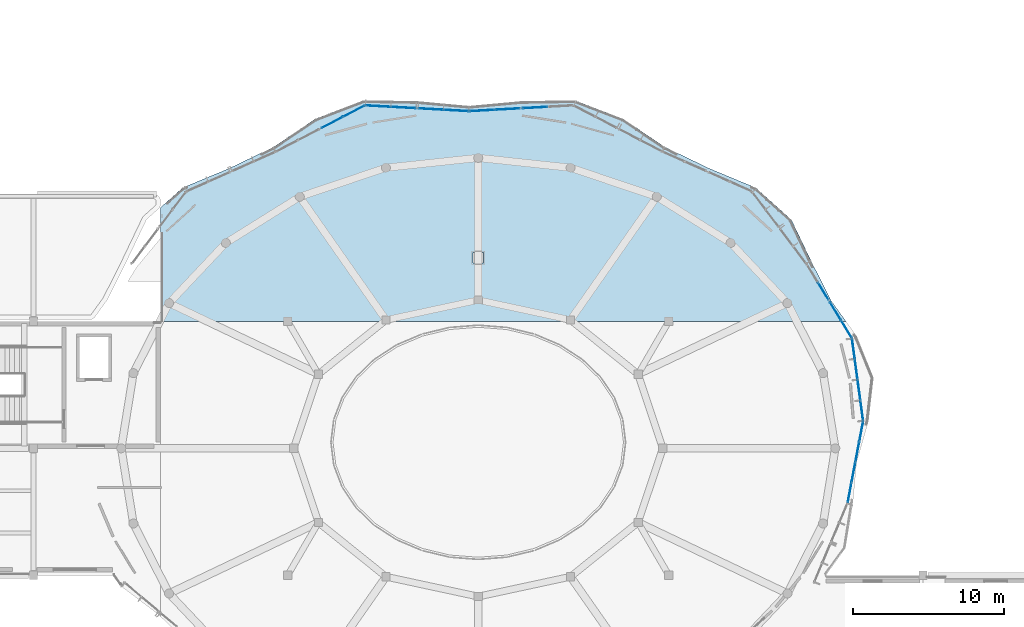
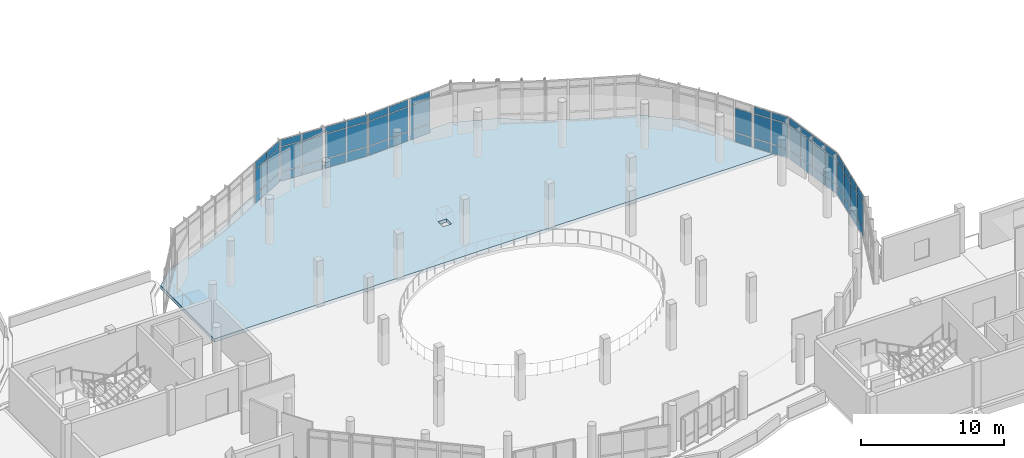
# One storey, part 52 of 74: 59 plates, 1 slab, 9 elements without a shape of their own.
"""IFC4 building model written with IfcOpenShell, lengths in metres."""

from ifc_helpers import new_model, si_unit, derived_unit, direction, frame, origin, origin_2d, place, context, subcontext, project, spatial, polyline, rectangle, outline, extrude, material, layer, layer_set, type_object, element, aggregate, save


model = new_model("IFC4")

# Units and contexts
model_context = context("Model", 3, precision=1e-05, world=origin(), true_north=direction((0.0, 1.0)))
body_context = subcontext(model_context, "Body", "Model", "MODEL_VIEW")
ifc_project = project(units=[si_unit("LENGTHUNIT", "METRE"), si_unit("AREAUNIT", "SQUARE_METRE"), si_unit("VOLUMEUNIT", "CUBIC_METRE"), si_unit("PLANEANGLEUNIT", "RADIAN"), si_unit("MASSUNIT", "GRAM", prefix="KILO"), derived_unit("THERMALTRANSMITTANCEUNIT", [(si_unit("POWERUNIT", "WATT"), 1), (si_unit("LENGTHUNIT", "METRE"), -2), (si_unit("THERMODYNAMICTEMPERATUREUNIT", "KELVIN"), -1)])], contexts=[model_context])

# Site, building, storey
site_placement = place(None, origin())
site = spatial("IfcSite", under=ifc_project, at=site_placement, CompositionType="ELEMENT")
building_placement = place(site_placement, origin())
building = spatial("IfcBuilding", under=site, at=building_placement, Name="Elbkamm Science Centre", CompositionType="ELEMENT")
storey_placement = place(building_placement, frame((0.0, 0.0, 14.39990234375)))
storey = spatial("IfcBuildingStorey", under=building, at=storey_placement, Name="L03", CompositionType="ELEMENT", Elevation=14.39990234375)

# Curtain wall, plates
ifc_material_1 = material(Name="Powder-coated aluminium and triple low-E glazing", Category="aluminium")
ifc_layer_1 = layer(ifc_material_1, 0.159912109375)
ifc_layer_set_1 = layer_set([ifc_layer_1], Name="Powder-coated aluminium and triple low-E glazing")
curtain_wall_type_1 = type_object("IfcCurtainWallType", Name="CW-UNIT-5540x3620", PredefinedType="USERDEFINED", material=ifc_layer_set_1)
curtain_wall_1_placement = place(storey_placement, origin())
curtain_wall_1 = element("IfcCurtainWall", 1, at=curtain_wall_1_placement, inside=storey, type_object=curtain_wall_type_1, Name="L03 Unitised Curtain Wall 046", ObjectType="UNITISED CURTAIN WALL", PredefinedType="USERDEFINED")
ifc_material_2 = material(Name="Triple solar-control insulated safety glass", Category="glass")
ifc_layer_2 = layer(ifc_material_2, 0.0400390625)
ifc_layer_set_2 = layer_set([ifc_layer_2], Name="Triple solar-control insulated safety glass")
plate_type = type_object("IfcPlateType", Name="CW-PNL-40", PredefinedType="CURTAIN_PANEL", material=ifc_layer_set_2)
plate_1_placement = place(storey_placement, frame((88.354736328125, 69.70068359375, 0.06005859375), z_axis=(0.0, 0.0, 1.0), x_axis=(-0.134575592183, 0.990903330294, 0.0)))
plate_1 = element("IfcPlate", 2, at=plate_1_placement, type_object=plate_type, Name="CW-020 panel 1.1", PredefinedType="CURTAIN_PANEL", context=body_context, shape_type="SweptSolid", body=[
    extrude(rectangle(XDim=1.294189453125, YDim=0.0400390625, at=origin_2d()), origin(), (0.0, 0.0, 1.0), 0.760009765625),
])
plate_2_placement = place(storey_placement, frame((88.354736328125, 69.70068359375, 0.880126953125), z_axis=(0.0, 0.0, 1.0), x_axis=(-0.134575592183, 0.990903330294, 0.0)))
plate_2 = element("IfcPlate", 3, at=plate_2_placement, type_object=plate_type, Name="CW-020 panel 1.2", PredefinedType="CURTAIN_PANEL", context=body_context, shape_type="SweptSolid", body=[
    extrude(rectangle(XDim=1.294189453125, YDim=0.0400390625, at=origin_2d()), origin(), (0.0, 0.0, 1.0), 2.06005859375),
])
plate_3_placement = place(storey_placement, frame((88.354736328125, 69.70068359375, 3.0), z_axis=(0.0, 0.0, 1.0), x_axis=(-0.134575592183, 0.990903330294, 0.0)))
plate_3 = element("IfcPlate", 4, at=plate_3_placement, type_object=plate_type, Name="CW-020 panel 1.3", PredefinedType="CURTAIN_PANEL", context=body_context, shape_type="SweptSolid", body=[
    extrude(rectangle(XDim=1.294189453125, YDim=0.0400390625, at=origin_2d()), origin(), (0.0, 0.0, 1.0), 0.56005859375),
])
plate_4_placement = place(storey_placement, frame((88.170654296875, 71.057373046875, 0.06005859375), z_axis=(0.0, 0.0, 1.0), x_axis=(-0.134575592183, 0.990903330294, 0.0)))
plate_4 = element("IfcPlate", 5, at=plate_4_placement, type_object=plate_type, Name="CW-020 panel 2.1", PredefinedType="CURTAIN_PANEL", context=body_context, shape_type="SweptSolid", body=[
    extrude(rectangle(XDim=1.32421875, YDim=0.0400390625, at=origin_2d()), origin(), (0.0, 0.0, 1.0), 0.760009765625),
])
plate_5_placement = place(storey_placement, frame((88.170654296875, 71.057373046875, 0.880126953125), z_axis=(0.0, 0.0, 1.0), x_axis=(-0.134575592183, 0.990903330294, 0.0)))
plate_5 = element("IfcPlate", 6, at=plate_5_placement, type_object=plate_type, Name="CW-020 panel 2.2", PredefinedType="CURTAIN_PANEL", context=body_context, shape_type="SweptSolid", body=[
    extrude(rectangle(XDim=1.32421875, YDim=0.0400390625, at=origin_2d()), origin(), (0.0, 0.0, 1.0), 2.06005859375),
])
plate_6_placement = place(storey_placement, frame((88.170654296875, 71.057373046875, 3.0), z_axis=(0.0, 0.0, 1.0), x_axis=(-0.134575592183, 0.990903330294, 0.0)))
plate_6 = element("IfcPlate", 7, at=plate_6_placement, type_object=plate_type, Name="CW-020 panel 2.3", PredefinedType="CURTAIN_PANEL", context=body_context, shape_type="SweptSolid", body=[
    extrude(rectangle(XDim=1.32421875, YDim=0.0400390625, at=origin_2d()), origin(), (0.0, 0.0, 1.0), 0.56005859375),
])
plate_7_placement = place(storey_placement, frame((87.984375, 72.428955078125, 0.06005859375), z_axis=(0.0, 0.0, 1.0), x_axis=(-0.134575592183, 0.990903330294, 0.0)))
plate_7 = element("IfcPlate", 8, at=plate_7_placement, type_object=plate_type, Name="CW-020 panel 3.1", PredefinedType="CURTAIN_PANEL", context=body_context, shape_type="SweptSolid", body=[
    extrude(rectangle(XDim=1.32421875, YDim=0.0400390625, at=origin_2d()), origin(), (0.0, 0.0, 1.0), 0.760009765625),
])
plate_8_placement = place(storey_placement, frame((87.984375, 72.428955078125, 0.880126953125), z_axis=(0.0, 0.0, 1.0), x_axis=(-0.134575592183, 0.990903330294, 0.0)))
plate_8 = element("IfcPlate", 9, at=plate_8_placement, type_object=plate_type, Name="CW-020 panel 3.2", PredefinedType="CURTAIN_PANEL", context=body_context, shape_type="SweptSolid", body=[
    extrude(rectangle(XDim=1.32421875, YDim=0.0400390625, at=origin_2d()), origin(), (0.0, 0.0, 1.0), 2.06005859375),
])
plate_9_placement = place(storey_placement, frame((87.984375, 72.428955078125, 3.0), z_axis=(0.0, 0.0, 1.0), x_axis=(-0.134575592183, 0.990903330294, 0.0)))
plate_9 = element("IfcPlate", 10, at=plate_9_placement, type_object=plate_type, Name="CW-020 panel 3.3", PredefinedType="CURTAIN_PANEL", context=body_context, shape_type="SweptSolid", body=[
    extrude(rectangle(XDim=1.32421875, YDim=0.0400390625, at=origin_2d()), origin(), (0.0, 0.0, 1.0), 0.56005859375),
])
plate_10_placement = place(storey_placement, frame((87.800048828125, 73.78564453125, 0.06005859375), z_axis=(0.0, 0.0, 1.0), x_axis=(-0.134575592183, 0.990903330294, 0.0)))
plate_10 = element("IfcPlate", 11, at=plate_10_placement, type_object=plate_type, Name="CW-020 panel 4.1", PredefinedType="CURTAIN_PANEL", context=body_context, shape_type="SweptSolid", body=[
    extrude(rectangle(XDim=1.294189453125, YDim=0.0400390625, at=origin_2d()), origin(), (0.0, 0.0, 1.0), 0.760009765625),
])
plate_11_placement = place(storey_placement, frame((87.800048828125, 73.78564453125, 0.880126953125), z_axis=(0.0, 0.0, 1.0), x_axis=(-0.134575592183, 0.990903330294, 0.0)))
plate_11 = element("IfcPlate", 12, at=plate_11_placement, type_object=plate_type, Name="CW-020 panel 4.2", PredefinedType="CURTAIN_PANEL", context=body_context, shape_type="SweptSolid", body=[
    extrude(rectangle(XDim=1.294189453125, YDim=0.0400390625, at=origin_2d()), origin(), (0.0, 0.0, 1.0), 2.06005859375),
])
plate_12_placement = place(storey_placement, frame((87.800048828125, 73.78564453125, 3.0), z_axis=(0.0, 0.0, 1.0), x_axis=(-0.134575592183, 0.990903330294, 0.0)))
plate_12 = element("IfcPlate", 13, at=plate_12_placement, type_object=plate_type, Name="CW-020 panel 4.3", PredefinedType="CURTAIN_PANEL", context=body_context, shape_type="SweptSolid", body=[
    extrude(rectangle(XDim=1.294189453125, YDim=0.0400390625, at=origin_2d()), origin(), (0.0, 0.0, 1.0), 0.56005859375),
])
aggregate(curtain_wall_1, [plate_1, plate_2, plate_3, plate_4, plate_5, plate_6, plate_7, plate_8, plate_9, plate_10, plate_11, plate_12])

ifc_layer_3 = layer(ifc_material_1, 0.159912109375)
ifc_layer_set_3 = layer_set([ifc_layer_3], Name="Powder-coated aluminium and triple low-E glazing")
curtain_wall_type_2 = type_object("IfcCurtainWallType", Name="CW-UNIT-2820x3620", PredefinedType="USERDEFINED", material=ifc_layer_set_3)
curtain_wall_2_placement = place(storey_placement, origin())
curtain_wall_2 = element("IfcCurtainWall", 14, at=curtain_wall_2_placement, inside=storey, type_object=curtain_wall_type_2, Name="L03 Unitised Curtain Wall 047", ObjectType="UNITISED CURTAIN WALL", PredefinedType="USERDEFINED")
plate_13_placement = place(storey_placement, frame((87.328369140625, 75.1025390625, 0.06005859375), z_axis=(0.0, 0.0, 1.0), x_axis=(-0.521392814935, 0.853316783225, 0.0)))
plate_13 = element("IfcPlate", 15, at=plate_13_placement, type_object=plate_type, Name="CW-021 panel 1.1", PredefinedType="CURTAIN_PANEL", context=body_context, shape_type="SweptSolid", body=[
    extrude(rectangle(XDim=1.324462890625, YDim=0.0400390625, at=origin_2d()), origin(), (0.0, 0.0, 1.0), 0.760009765625),
])
plate_14_placement = place(storey_placement, frame((87.328369140625, 75.1025390625, 0.880126953125), z_axis=(0.0, 0.0, 1.0), x_axis=(-0.521392814935, 0.853316783225, 0.0)))
plate_14 = element("IfcPlate", 16, at=plate_14_placement, type_object=plate_type, Name="CW-021 panel 1.2", PredefinedType="CURTAIN_PANEL", context=body_context, shape_type="SweptSolid", body=[
    extrude(rectangle(XDim=1.324462890625, YDim=0.0400390625, at=origin_2d()), origin(), (0.0, 0.0, 1.0), 2.06005859375),
])
plate_15_placement = place(storey_placement, frame((87.328369140625, 75.1025390625, 3.0), z_axis=(0.0, 0.0, 1.0), x_axis=(-0.521392814935, 0.853316783225, 0.0)))
plate_15 = element("IfcPlate", 17, at=plate_15_placement, type_object=plate_type, Name="CW-021 panel 1.3", PredefinedType="CURTAIN_PANEL", context=body_context, shape_type="SweptSolid", body=[
    extrude(rectangle(XDim=1.324462890625, YDim=0.0400390625, at=origin_2d()), origin(), (0.0, 0.0, 1.0), 0.56005859375),
])
plate_16_placement = place(storey_placement, frame((86.6064453125, 76.283935546875, 0.06005859375), z_axis=(0.0, 0.0, 1.0), x_axis=(-0.521392814935, 0.853316783225, 0.0)))
plate_16 = element("IfcPlate", 18, at=plate_16_placement, type_object=plate_type, Name="CW-021 panel 2.1", PredefinedType="CURTAIN_PANEL", context=body_context, shape_type="SweptSolid", body=[
    extrude(rectangle(XDim=1.324462890625, YDim=0.0400390625, at=origin_2d()), origin(), (0.0, 0.0, 1.0), 0.760009765625),
])
plate_17_placement = place(storey_placement, frame((86.6064453125, 76.283935546875, 0.880126953125), z_axis=(0.0, 0.0, 1.0), x_axis=(-0.521392814935, 0.853316783225, 0.0)))
plate_17 = element("IfcPlate", 19, at=plate_17_placement, type_object=plate_type, Name="CW-021 panel 2.2", PredefinedType="CURTAIN_PANEL", context=body_context, shape_type="SweptSolid", body=[
    extrude(rectangle(XDim=1.324462890625, YDim=0.0400390625, at=origin_2d()), origin(), (0.0, 0.0, 1.0), 2.06005859375),
])
plate_18_placement = place(storey_placement, frame((86.6064453125, 76.283935546875, 3.0), z_axis=(0.0, 0.0, 1.0), x_axis=(-0.521392814935, 0.853316783225, 0.0)))
plate_18 = element("IfcPlate", 20, at=plate_18_placement, type_object=plate_type, Name="CW-021 panel 2.3", PredefinedType="CURTAIN_PANEL", context=body_context, shape_type="SweptSolid", body=[
    extrude(rectangle(XDim=1.324462890625, YDim=0.0400390625, at=origin_2d()), origin(), (0.0, 0.0, 1.0), 0.56005859375),
])
aggregate(curtain_wall_2, [plate_13, plate_14, plate_15, plate_16, plate_17, plate_18])

curtain_wall_3_placement = place(storey_placement, origin())
curtain_wall_3 = element("IfcCurtainWall", 21, at=curtain_wall_3_placement, inside=storey, type_object=curtain_wall_type_2, Name="L03 Unitised Curtain Wall 048", ObjectType="UNITISED CURTAIN WALL", PredefinedType="USERDEFINED")
plate_19_placement = place(storey_placement, frame((85.8115234375, 77.584716796875, 0.06005859375), z_axis=(0.0, 0.0, 1.0), x_axis=(-0.521392814935, 0.853316783225, 0.0)))
plate_19 = element("IfcPlate", 22, at=plate_19_placement, type_object=plate_type, Name="CW-021 panel 1.1", PredefinedType="CURTAIN_PANEL", context=body_context, shape_type="SweptSolid", body=[
    extrude(rectangle(XDim=1.324462890625, YDim=0.0400390625, at=origin_2d()), origin(), (0.0, 0.0, 1.0), 0.760009765625),
])
plate_20_placement = place(storey_placement, frame((85.8115234375, 77.584716796875, 0.880126953125), z_axis=(0.0, 0.0, 1.0), x_axis=(-0.521392814935, 0.853316783225, 0.0)))
plate_20 = element("IfcPlate", 23, at=plate_20_placement, type_object=plate_type, Name="CW-021 panel 1.2", PredefinedType="CURTAIN_PANEL", context=body_context, shape_type="SweptSolid", body=[
    extrude(rectangle(XDim=1.324462890625, YDim=0.0400390625, at=origin_2d()), origin(), (0.0, 0.0, 1.0), 2.06005859375),
])
aggregate(curtain_wall_3, [plate_19, plate_20])

ifc_layer_4 = layer(ifc_material_1, 0.159912109375)
ifc_layer_set_4 = layer_set([ifc_layer_4], Name="Powder-coated aluminium and triple low-E glazing")
curtain_wall_type_3 = type_object("IfcCurtainWallType", Name="CW-UNIT-3400x3620", PredefinedType="USERDEFINED", material=ifc_layer_set_4)
curtain_wall_4_placement = place(storey_placement, origin())
curtain_wall_4 = element("IfcCurtainWall", 24, at=curtain_wall_4_placement, inside=storey, type_object=curtain_wall_type_3, Name="L03 Unitised Curtain Wall 055", ObjectType="UNITISED CURTAIN WALL", PredefinedType="USERDEFINED")
plate_21_placement = place(storey_placement, frame((66.747802734375, 89.722900390625, 0.06005859375), z_axis=(0.0, 0.0, 1.0), x_axis=(-0.998442786564, -0.055785320279, 0.0)))
plate_21 = element("IfcPlate", 25, at=plate_21_placement, type_object=plate_type, Name="CW-025 panel 2.1", PredefinedType="CURTAIN_PANEL", context=body_context, shape_type="SweptSolid", body=[
    extrude(rectangle(XDim=1.61376953125, YDim=0.0400390625, at=origin_2d()), origin(), (0.0, 0.0, 1.0), 0.760009765625),
])
plate_22_placement = place(storey_placement, frame((66.747802734375, 89.722900390625, 0.880126953125), z_axis=(0.0, 0.0, 1.0), x_axis=(-0.998442786564, -0.055785320279, 0.0)))
plate_22 = element("IfcPlate", 26, at=plate_22_placement, type_object=plate_type, Name="CW-025 panel 2.2", PredefinedType="CURTAIN_PANEL", context=body_context, shape_type="SweptSolid", body=[
    extrude(rectangle(XDim=1.61376953125, YDim=0.0400390625, at=origin_2d()), origin(), (0.0, 0.0, 1.0), 2.06005859375),
])
plate_23_placement = place(storey_placement, frame((66.747802734375, 89.722900390625, 3.0), z_axis=(0.0, 0.0, 1.0), x_axis=(-0.998442786564, -0.055785320279, 0.0)))
plate_23 = element("IfcPlate", 27, at=plate_23_placement, type_object=plate_type, Name="CW-025 panel 2.3", PredefinedType="CURTAIN_PANEL", context=body_context, shape_type="SweptSolid", body=[
    extrude(rectangle(XDim=1.61376953125, YDim=0.0400390625, at=origin_2d()), origin(), (0.0, 0.0, 1.0), 0.56005859375),
])
aggregate(curtain_wall_4, [plate_21, plate_22, plate_23])

curtain_wall_5_placement = place(storey_placement, origin())
curtain_wall_5 = element("IfcCurtainWall", 28, at=curtain_wall_5_placement, inside=storey, type_object=curtain_wall_type_3, Name="L03 Unitised Curtain Wall 056", ObjectType="UNITISED CURTAIN WALL", PredefinedType="USERDEFINED")
plate_24_placement = place(storey_placement, frame((64.936767578125, 89.621826171875, 0.06005859375), z_axis=(0.0, 0.0, 1.0), x_axis=(-0.998442786564, -0.055785320279, 0.0)))
plate_24 = element("IfcPlate", 29, at=plate_24_placement, type_object=plate_type, Name="CW-025 panel 1.1", PredefinedType="CURTAIN_PANEL", context=body_context, shape_type="SweptSolid", body=[
    extrude(rectangle(XDim=1.61376953125, YDim=0.0400390625, at=origin_2d()), origin(), (0.0, 0.0, 1.0), 0.760009765625),
])
plate_25_placement = place(storey_placement, frame((64.936767578125, 89.621826171875, 0.880126953125), z_axis=(0.0, 0.0, 1.0), x_axis=(-0.998442786564, -0.055785320279, 0.0)))
plate_25 = element("IfcPlate", 30, at=plate_25_placement, type_object=plate_type, Name="CW-025 panel 1.2", PredefinedType="CURTAIN_PANEL", context=body_context, shape_type="SweptSolid", body=[
    extrude(rectangle(XDim=1.61376953125, YDim=0.0400390625, at=origin_2d()), origin(), (0.0, 0.0, 1.0), 2.06005859375),
])
plate_26_placement = place(storey_placement, frame((64.936767578125, 89.621826171875, 3.0), z_axis=(0.0, 0.0, 1.0), x_axis=(-0.998442786564, -0.055785320279, 0.0)))
plate_26 = element("IfcPlate", 31, at=plate_26_placement, type_object=plate_type, Name="CW-025 panel 1.3", PredefinedType="CURTAIN_PANEL", context=body_context, shape_type="SweptSolid", body=[
    extrude(rectangle(XDim=1.61376953125, YDim=0.0400390625, at=origin_2d()), origin(), (0.0, 0.0, 1.0), 0.56005859375),
])
plate_27_placement = place(storey_placement, frame((63.265625, 89.5283203125, 0.06005859375), z_axis=(0.0, 0.0, 1.0), x_axis=(-0.998442786564, -0.055785320279, 0.0)))
plate_27 = element("IfcPlate", 32, at=plate_27_placement, type_object=plate_type, Name="CW-025 panel 2.1", PredefinedType="CURTAIN_PANEL", context=body_context, shape_type="SweptSolid", body=[
    extrude(rectangle(XDim=1.61376953125, YDim=0.0400390625, at=origin_2d()), origin(), (0.0, 0.0, 1.0), 0.760009765625),
])
plate_28_placement = place(storey_placement, frame((63.265625, 89.5283203125, 0.880126953125), z_axis=(0.0, 0.0, 1.0), x_axis=(-0.998442786564, -0.055785320279, 0.0)))
plate_28 = element("IfcPlate", 33, at=plate_28_placement, type_object=plate_type, Name="CW-025 panel 2.2", PredefinedType="CURTAIN_PANEL", context=body_context, shape_type="SweptSolid", body=[
    extrude(rectangle(XDim=1.61376953125, YDim=0.0400390625, at=origin_2d()), origin(), (0.0, 0.0, 1.0), 2.06005859375),
])
plate_29_placement = place(storey_placement, frame((63.265625, 89.5283203125, 3.0), z_axis=(0.0, 0.0, 1.0), x_axis=(-0.998442786564, -0.055785320279, 0.0)))
plate_29 = element("IfcPlate", 34, at=plate_29_placement, type_object=plate_type, Name="CW-025 panel 2.3", PredefinedType="CURTAIN_PANEL", context=body_context, shape_type="SweptSolid", body=[
    extrude(rectangle(XDim=1.61376953125, YDim=0.0400390625, at=origin_2d()), origin(), (0.0, 0.0, 1.0), 0.56005859375),
])
aggregate(curtain_wall_5, [plate_24, plate_25, plate_26, plate_27, plate_28, plate_29])

curtain_wall_6_placement = place(storey_placement, origin())
curtain_wall_6 = element("IfcCurtainWall", 35, at=curtain_wall_6_placement, inside=storey, type_object=curtain_wall_type_3, Name="L03 Unitised Curtain Wall 057", ObjectType="UNITISED CURTAIN WALL", PredefinedType="USERDEFINED")
plate_30_placement = place(storey_placement, frame((61.534423828125, 89.5283203125, 0.06005859375), z_axis=(0.0, 0.0, 1.0), x_axis=(-0.998442786564, 0.055785320279, 0.0)))
plate_30 = element("IfcPlate", 36, at=plate_30_placement, type_object=plate_type, Name="CW-025 panel 1.1", PredefinedType="CURTAIN_PANEL", context=body_context, shape_type="SweptSolid", body=[
    extrude(rectangle(XDim=1.61376953125, YDim=0.0400390625, at=origin_2d()), origin(), (0.0, 0.0, 1.0), 0.760009765625),
])
plate_31_placement = place(storey_placement, frame((61.534423828125, 89.5283203125, 0.880126953125), z_axis=(0.0, 0.0, 1.0), x_axis=(-0.998442786564, 0.055785320279, 0.0)))
plate_31 = element("IfcPlate", 37, at=plate_31_placement, type_object=plate_type, Name="CW-025 panel 1.2", PredefinedType="CURTAIN_PANEL", context=body_context, shape_type="SweptSolid", body=[
    extrude(rectangle(XDim=1.61376953125, YDim=0.0400390625, at=origin_2d()), origin(), (0.0, 0.0, 1.0), 2.06005859375),
])
plate_32_placement = place(storey_placement, frame((61.534423828125, 89.5283203125, 3.0), z_axis=(0.0, 0.0, 1.0), x_axis=(-0.998442786564, 0.055785320279, 0.0)))
plate_32 = element("IfcPlate", 38, at=plate_32_placement, type_object=plate_type, Name="CW-025 panel 1.3", PredefinedType="CURTAIN_PANEL", context=body_context, shape_type="SweptSolid", body=[
    extrude(rectangle(XDim=1.61376953125, YDim=0.0400390625, at=origin_2d()), origin(), (0.0, 0.0, 1.0), 0.56005859375),
])
plate_33_placement = place(storey_placement, frame((59.86328125, 89.621826171875, 0.06005859375), z_axis=(0.0, 0.0, 1.0), x_axis=(-0.998442786564, 0.055785320279, 0.0)))
plate_33 = element("IfcPlate", 39, at=plate_33_placement, type_object=plate_type, Name="CW-025 panel 2.1", PredefinedType="CURTAIN_PANEL", context=body_context, shape_type="SweptSolid", body=[
    extrude(rectangle(XDim=1.61376953125, YDim=0.0400390625, at=origin_2d()), origin(), (0.0, 0.0, 1.0), 0.760009765625),
])
plate_34_placement = place(storey_placement, frame((59.86328125, 89.621826171875, 0.880126953125), z_axis=(0.0, 0.0, 1.0), x_axis=(-0.998442786564, 0.055785320279, 0.0)))
plate_34 = element("IfcPlate", 40, at=plate_34_placement, type_object=plate_type, Name="CW-025 panel 2.2", PredefinedType="CURTAIN_PANEL", context=body_context, shape_type="SweptSolid", body=[
    extrude(rectangle(XDim=1.61376953125, YDim=0.0400390625, at=origin_2d()), origin(), (0.0, 0.0, 1.0), 2.06005859375),
])
plate_35_placement = place(storey_placement, frame((59.86328125, 89.621826171875, 3.0), z_axis=(0.0, 0.0, 1.0), x_axis=(-0.998442786564, 0.055785320279, 0.0)))
plate_35 = element("IfcPlate", 41, at=plate_35_placement, type_object=plate_type, Name="CW-025 panel 2.3", PredefinedType="CURTAIN_PANEL", context=body_context, shape_type="SweptSolid", body=[
    extrude(rectangle(XDim=1.61376953125, YDim=0.0400390625, at=origin_2d()), origin(), (0.0, 0.0, 1.0), 0.56005859375),
])
aggregate(curtain_wall_6, [plate_30, plate_31, plate_32, plate_33, plate_34, plate_35])

curtain_wall_7_placement = place(storey_placement, origin())
curtain_wall_7 = element("IfcCurtainWall", 42, at=curtain_wall_7_placement, inside=storey, type_object=curtain_wall_type_3, Name="L03 Unitised Curtain Wall 058", ObjectType="UNITISED CURTAIN WALL", PredefinedType="USERDEFINED")
plate_36_placement = place(storey_placement, frame((58.052001953125, 89.722900390625, 0.06005859375), z_axis=(0.0, 0.0, 1.0), x_axis=(-0.998442786564, 0.055785320279, 0.0)))
plate_36 = element("IfcPlate", 43, at=plate_36_placement, type_object=plate_type, Name="CW-025 panel 1.1", PredefinedType="CURTAIN_PANEL", context=body_context, shape_type="SweptSolid", body=[
    extrude(rectangle(XDim=1.61376953125, YDim=0.0400390625, at=origin_2d()), origin(), (0.0, 0.0, 1.0), 0.760009765625),
])
plate_37_placement = place(storey_placement, frame((58.052001953125, 89.722900390625, 0.880126953125), z_axis=(0.0, 0.0, 1.0), x_axis=(-0.998442786564, 0.055785320279, 0.0)))
plate_37 = element("IfcPlate", 44, at=plate_37_placement, type_object=plate_type, Name="CW-025 panel 1.2", PredefinedType="CURTAIN_PANEL", context=body_context, shape_type="SweptSolid", body=[
    extrude(rectangle(XDim=1.61376953125, YDim=0.0400390625, at=origin_2d()), origin(), (0.0, 0.0, 1.0), 2.06005859375),
])
plate_38_placement = place(storey_placement, frame((58.052001953125, 89.722900390625, 3.0), z_axis=(0.0, 0.0, 1.0), x_axis=(-0.998442786564, 0.055785320279, 0.0)))
plate_38 = element("IfcPlate", 45, at=plate_38_placement, type_object=plate_type, Name="CW-025 panel 1.3", PredefinedType="CURTAIN_PANEL", context=body_context, shape_type="SweptSolid", body=[
    extrude(rectangle(XDim=1.61376953125, YDim=0.0400390625, at=origin_2d()), origin(), (0.0, 0.0, 1.0), 0.56005859375),
])
plate_39_placement = place(storey_placement, frame((56.380859375, 89.816162109375, 0.06005859375), z_axis=(0.0, 0.0, 1.0), x_axis=(-0.998442786564, 0.055785320279, 0.0)))
plate_39 = element("IfcPlate", 46, at=plate_39_placement, type_object=plate_type, Name="CW-025 panel 2.1", PredefinedType="CURTAIN_PANEL", context=body_context, shape_type="SweptSolid", body=[
    extrude(rectangle(XDim=1.61376953125, YDim=0.0400390625, at=origin_2d()), origin(), (0.0, 0.0, 1.0), 0.760009765625),
])
plate_40_placement = place(storey_placement, frame((56.380859375, 89.816162109375, 0.880126953125), z_axis=(0.0, 0.0, 1.0), x_axis=(-0.998442786564, 0.055785320279, 0.0)))
plate_40 = element("IfcPlate", 47, at=plate_40_placement, type_object=plate_type, Name="CW-025 panel 2.2", PredefinedType="CURTAIN_PANEL", context=body_context, shape_type="SweptSolid", body=[
    extrude(rectangle(XDim=1.61376953125, YDim=0.0400390625, at=origin_2d()), origin(), (0.0, 0.0, 1.0), 2.06005859375),
])
plate_41_placement = place(storey_placement, frame((56.380859375, 89.816162109375, 3.0), z_axis=(0.0, 0.0, 1.0), x_axis=(-0.998442786564, 0.055785320279, 0.0)))
plate_41 = element("IfcPlate", 48, at=plate_41_placement, type_object=plate_type, Name="CW-025 panel 2.3", PredefinedType="CURTAIN_PANEL", context=body_context, shape_type="SweptSolid", body=[
    extrude(rectangle(XDim=1.61376953125, YDim=0.0400390625, at=origin_2d()), origin(), (0.0, 0.0, 1.0), 0.56005859375),
])
aggregate(curtain_wall_7, [plate_36, plate_37, plate_38, plate_39, plate_40, plate_41])

ifc_layer_5 = layer(ifc_material_1, 0.159912109375)
ifc_layer_set_5 = layer_set([ifc_layer_5], Name="Powder-coated aluminium and triple low-E glazing")
curtain_wall_type_4 = type_object("IfcCurtainWallType", Name="CW-UNIT-3280x3620", PredefinedType="USERDEFINED", material=ifc_layer_set_5)
curtain_wall_8_placement = place(storey_placement, origin())
curtain_wall_8 = element("IfcCurtainWall", 49, at=curtain_wall_8_placement, inside=storey, type_object=curtain_wall_type_4, Name="L03 Unitised Curtain Wall 059", ObjectType="UNITISED CURTAIN WALL", PredefinedType="USERDEFINED")
plate_42_placement = place(storey_placement, frame((54.774169921875, 89.4794921875, 0.06005859375), z_axis=(0.0, 0.0, 1.0), x_axis=(-0.887363474835, -0.461070562419, 0.0)))
plate_42 = element("IfcPlate", 50, at=plate_42_placement, type_object=plate_type, Name="CW-024 panel 1.1", PredefinedType="CURTAIN_PANEL", context=body_context, shape_type="SweptSolid", body=[
    extrude(rectangle(XDim=1.550537109375, YDim=0.0400390625, at=origin_2d()), origin(), (0.0, 0.0, 1.0), 0.760009765625),
])
plate_43_placement = place(storey_placement, frame((54.774169921875, 89.4794921875, 0.880126953125), z_axis=(0.0, 0.0, 1.0), x_axis=(-0.887363474835, -0.461070562419, 0.0)))
plate_43 = element("IfcPlate", 51, at=plate_43_placement, type_object=plate_type, Name="CW-024 panel 1.2", PredefinedType="CURTAIN_PANEL", context=body_context, shape_type="SweptSolid", body=[
    extrude(rectangle(XDim=1.550537109375, YDim=0.0400390625, at=origin_2d()), origin(), (0.0, 0.0, 1.0), 2.06005859375),
])
plate_44_placement = place(storey_placement, frame((54.774169921875, 89.4794921875, 3.0), z_axis=(0.0, 0.0, 1.0), x_axis=(-0.887363474835, -0.461070562419, 0.0)))
plate_44 = element("IfcPlate", 52, at=plate_44_placement, type_object=plate_type, Name="CW-024 panel 1.3", PredefinedType="CURTAIN_PANEL", context=body_context, shape_type="SweptSolid", body=[
    extrude(rectangle(XDim=1.550537109375, YDim=0.0400390625, at=origin_2d()), origin(), (0.0, 0.0, 1.0), 0.56005859375),
])
plate_45_placement = place(storey_placement, frame((53.34521484375, 88.737060546875, 0.06005859375), z_axis=(0.0, 0.0, 1.0), x_axis=(-0.887363474835, -0.461070562419, 0.0)))
plate_45 = element("IfcPlate", 53, at=plate_45_placement, type_object=plate_type, Name="CW-024 panel 2.1", PredefinedType="CURTAIN_PANEL", context=body_context, shape_type="SweptSolid", body=[
    extrude(rectangle(XDim=1.550537109375, YDim=0.0400390625, at=origin_2d()), origin(), (0.0, 0.0, 1.0), 0.760009765625),
])
plate_46_placement = place(storey_placement, frame((53.34521484375, 88.737060546875, 0.880126953125), z_axis=(0.0, 0.0, 1.0), x_axis=(-0.887363474835, -0.461070562419, 0.0)))
plate_46 = element("IfcPlate", 54, at=plate_46_placement, type_object=plate_type, Name="CW-024 panel 2.2", PredefinedType="CURTAIN_PANEL", context=body_context, shape_type="SweptSolid", body=[
    extrude(rectangle(XDim=1.550537109375, YDim=0.0400390625, at=origin_2d()), origin(), (0.0, 0.0, 1.0), 2.06005859375),
])
plate_47_placement = place(storey_placement, frame((53.34521484375, 88.737060546875, 3.0), z_axis=(0.0, 0.0, 1.0), x_axis=(-0.887363474835, -0.461070562419, 0.0)))
plate_47 = element("IfcPlate", 55, at=plate_47_placement, type_object=plate_type, Name="CW-024 panel 2.3", PredefinedType="CURTAIN_PANEL", context=body_context, shape_type="SweptSolid", body=[
    extrude(rectangle(XDim=1.550537109375, YDim=0.0400390625, at=origin_2d()), origin(), (0.0, 0.0, 1.0), 0.56005859375),
])
aggregate(curtain_wall_8, [plate_42, plate_43, plate_44, plate_45, plate_46, plate_47])

ifc_layer_6 = layer(ifc_material_1, 0.159912109375)
ifc_layer_set_6 = layer_set([ifc_layer_6], Name="Powder-coated aluminium and triple low-E glazing")
curtain_wall_type_5 = type_object("IfcCurtainWallType", Name="CW-UNIT-5500x3620", PredefinedType="USERDEFINED", material=ifc_layer_set_6)
curtain_wall_9_placement = place(storey_placement, origin())
curtain_wall_9 = element("IfcCurtainWall", 56, at=curtain_wall_9_placement, inside=storey, type_object=curtain_wall_type_5, Name="L03 Unitised Curtain Wall 074", ObjectType="UNITISED CURTAIN WALL", PredefinedType="USERDEFINED")
plate_48_placement = place(storey_placement, frame((87.551513671875, 64.281005859375, 0.06005859375), z_axis=(0.0, 0.0, 1.0), x_axis=(0.187046190138, 0.982351119893, 0.0)))
plate_48 = element("IfcPlate", 57, at=plate_48_placement, type_object=plate_type, Name="CW-031 panel 1.1", PredefinedType="CURTAIN_PANEL", context=body_context, shape_type="SweptSolid", body=[
    extrude(rectangle(XDim=1.286865234375, YDim=0.0400390625, at=origin_2d()), origin(), (0.0, 0.0, 1.0), 0.760009765625),
])
plate_49_placement = place(storey_placement, frame((87.551513671875, 64.281005859375, 0.880126953125), z_axis=(0.0, 0.0, 1.0), x_axis=(0.187046190138, 0.982351119893, 0.0)))
plate_49 = element("IfcPlate", 58, at=plate_49_placement, type_object=plate_type, Name="CW-031 panel 1.2", PredefinedType="CURTAIN_PANEL", context=body_context, shape_type="SweptSolid", body=[
    extrude(rectangle(XDim=1.286865234375, YDim=0.0400390625, at=origin_2d()), origin(), (0.0, 0.0, 1.0), 2.06005859375),
])
plate_50_placement = place(storey_placement, frame((87.551513671875, 64.281005859375, 3.0), z_axis=(0.0, 0.0, 1.0), x_axis=(0.187046190138, 0.982351119893, 0.0)))
plate_50 = element("IfcPlate", 59, at=plate_50_placement, type_object=plate_type, Name="CW-031 panel 1.3", PredefinedType="CURTAIN_PANEL", context=body_context, shape_type="SweptSolid", body=[
    extrude(rectangle(XDim=1.286865234375, YDim=0.0400390625, at=origin_2d()), origin(), (0.0, 0.0, 1.0), 0.56005859375),
])
plate_51_placement = place(storey_placement, frame((87.80615234375, 65.61865234375, 0.06005859375), z_axis=(0.0, 0.0, 1.0), x_axis=(0.187046190138, 0.982351119893, 0.0)))
plate_51 = element("IfcPlate", 60, at=plate_51_placement, type_object=plate_type, Name="CW-031 panel 2.1", PredefinedType="CURTAIN_PANEL", context=body_context, shape_type="SweptSolid", body=[
    extrude(rectangle(XDim=1.31689453125, YDim=0.0400390625, at=origin_2d()), origin(), (0.0, 0.0, 1.0), 0.760009765625),
])
plate_52_placement = place(storey_placement, frame((87.80615234375, 65.61865234375, 0.880126953125), z_axis=(0.0, 0.0, 1.0), x_axis=(0.187046190138, 0.982351119893, 0.0)))
plate_52 = element("IfcPlate", 61, at=plate_52_placement, type_object=plate_type, Name="CW-031 panel 2.2", PredefinedType="CURTAIN_PANEL", context=body_context, shape_type="SweptSolid", body=[
    extrude(rectangle(XDim=1.31689453125, YDim=0.0400390625, at=origin_2d()), origin(), (0.0, 0.0, 1.0), 2.06005859375),
])
plate_53_placement = place(storey_placement, frame((87.80615234375, 65.61865234375, 3.0), z_axis=(0.0, 0.0, 1.0), x_axis=(0.187046190138, 0.982351119893, 0.0)))
plate_53 = element("IfcPlate", 62, at=plate_53_placement, type_object=plate_type, Name="CW-031 panel 2.3", PredefinedType="CURTAIN_PANEL", context=body_context, shape_type="SweptSolid", body=[
    extrude(rectangle(XDim=1.31689453125, YDim=0.0400390625, at=origin_2d()), origin(), (0.0, 0.0, 1.0), 0.56005859375),
])
plate_54_placement = place(storey_placement, frame((88.063720703125, 66.97119140625, 0.06005859375), z_axis=(0.0, 0.0, 1.0), x_axis=(0.187046190138, 0.982351119893, 0.0)))
plate_54 = element("IfcPlate", 63, at=plate_54_placement, type_object=plate_type, Name="CW-031 panel 3.1", PredefinedType="CURTAIN_PANEL", context=body_context, shape_type="SweptSolid", body=[
    extrude(rectangle(XDim=1.31689453125, YDim=0.0400390625, at=origin_2d()), origin(), (0.0, 0.0, 1.0), 0.760009765625),
])
plate_55_placement = place(storey_placement, frame((88.063720703125, 66.97119140625, 0.880126953125), z_axis=(0.0, 0.0, 1.0), x_axis=(0.187046190138, 0.982351119893, 0.0)))
plate_55 = element("IfcPlate", 64, at=plate_55_placement, type_object=plate_type, Name="CW-031 panel 3.2", PredefinedType="CURTAIN_PANEL", context=body_context, shape_type="SweptSolid", body=[
    extrude(rectangle(XDim=1.31689453125, YDim=0.0400390625, at=origin_2d()), origin(), (0.0, 0.0, 1.0), 2.06005859375),
])
plate_56_placement = place(storey_placement, frame((88.063720703125, 66.97119140625, 3.0), z_axis=(0.0, 0.0, 1.0), x_axis=(0.187046190138, 0.982351119893, 0.0)))
plate_56 = element("IfcPlate", 65, at=plate_56_placement, type_object=plate_type, Name="CW-031 panel 3.3", PredefinedType="CURTAIN_PANEL", context=body_context, shape_type="SweptSolid", body=[
    extrude(rectangle(XDim=1.31689453125, YDim=0.0400390625, at=origin_2d()), origin(), (0.0, 0.0, 1.0), 0.56005859375),
])
plate_57_placement = place(storey_placement, frame((88.318359375, 68.30908203125, 0.06005859375), z_axis=(0.0, 0.0, 1.0), x_axis=(0.187046190138, 0.982351119893, 0.0)))
plate_57 = element("IfcPlate", 66, at=plate_57_placement, type_object=plate_type, Name="CW-031 panel 4.1", PredefinedType="CURTAIN_PANEL", context=body_context, shape_type="SweptSolid", body=[
    extrude(rectangle(XDim=1.286865234375, YDim=0.0400390625, at=origin_2d()), origin(), (0.0, 0.0, 1.0), 0.760009765625),
])
plate_58_placement = place(storey_placement, frame((88.318359375, 68.30908203125, 0.880126953125), z_axis=(0.0, 0.0, 1.0), x_axis=(0.187046190138, 0.982351119893, 0.0)))
plate_58 = element("IfcPlate", 67, at=plate_58_placement, type_object=plate_type, Name="CW-031 panel 4.2", PredefinedType="CURTAIN_PANEL", context=body_context, shape_type="SweptSolid", body=[
    extrude(rectangle(XDim=1.286865234375, YDim=0.0400390625, at=origin_2d()), origin(), (0.0, 0.0, 1.0), 2.06005859375),
])
plate_59_placement = place(storey_placement, frame((88.318359375, 68.30908203125, 3.0), z_axis=(0.0, 0.0, 1.0), x_axis=(0.187046190138, 0.982351119893, 0.0)))
plate_59 = element("IfcPlate", 68, at=plate_59_placement, type_object=plate_type, Name="CW-031 panel 4.3", PredefinedType="CURTAIN_PANEL", context=body_context, shape_type="SweptSolid", body=[
    extrude(rectangle(XDim=1.286865234375, YDim=0.0400390625, at=origin_2d()), origin(), (0.0, 0.0, 1.0), 0.56005859375),
])
aggregate(curtain_wall_9, [plate_48, plate_49, plate_50, plate_51, plate_52, plate_53, plate_54, plate_55, plate_56, plate_57, plate_58, plate_59])

# Slab
ifc_material_3 = material(Name="Reinforced concrete C40/50", Category="concrete")
ifc_layer_7 = layer(ifc_material_3, 0.280029296875)
ifc_layer_set_7 = layer_set([ifc_layer_7], Name="Reinforced concrete C40/50")
slab_type = type_object("IfcSlabType", Name="SLAB-FLR-280", PredefinedType="FLOOR", material=ifc_layer_set_7)
slab_placement = place(storey_placement, frame((0.0, 0.0, -0.27978515625)))
element("IfcSlab", 69, at=slab_placement, inside=storey, type_object=slab_type, Name="L03 Structural Slab CN-03", PredefinedType="FLOOR", context=body_context, shape_type="SweptSolid", body=[
    extrude(outline(polyline([(46.539794921875, 85.702392578125), (49.44677734375, 87.10546875), (52.213623046875, 88.972412109375), (55.4248046875, 90.20263671875), (58.9638671875, 90.143310546875), (62.39990234375, 89.830078125), (65.836181640625, 90.143310546875), (69.375244140625, 90.20263671875), (72.586181640625, 88.972412109375), (75.353271484375, 87.10546875), (78.260009765625, 85.702392578125), (81.3525390625, 84.4169921875), (83.703369140625, 82.302734375), (85.016357421875, 79.5576171875), (86.303955078125, 76.98779296875), (87.304931640625, 75.60009765625), (42.0, 75.60009765625), (42.0, 83.115234375), (43.447509765625, 84.4169921875), (46.539794921875, 85.702392578125)]), holes=[polyline([(63.35009765625, 80.14990234375), (62.64990234375, 80.14990234375), (62.64990234375, 79.449951171875), (63.35009765625, 79.449951171875), (63.35009765625, 80.14990234375)])]), origin(), (0.0, 0.0, 1.0), 0.27978515625),
])

save(model, "model.ifc")
